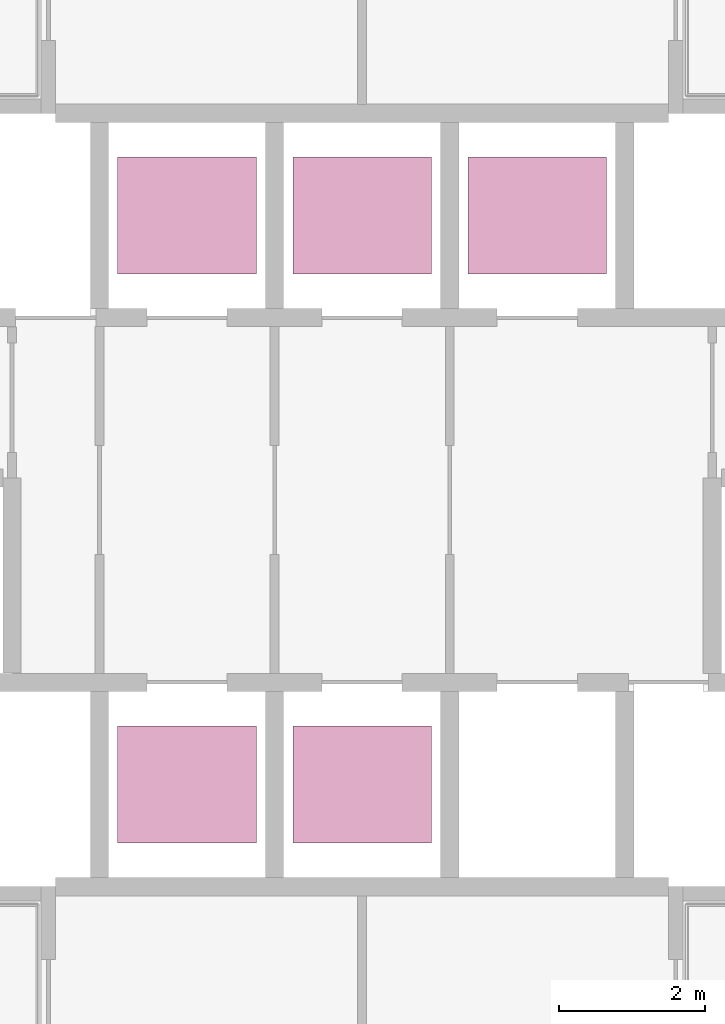
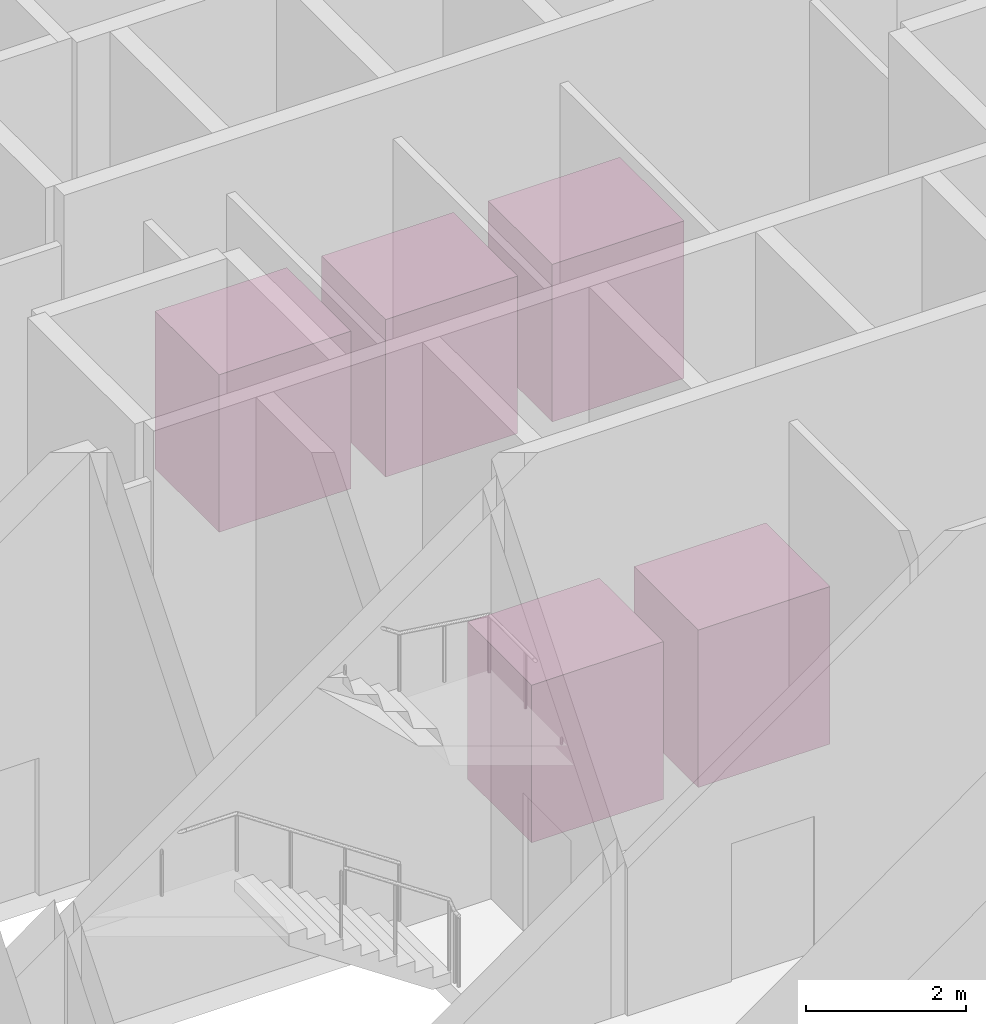
# One storey, part 16 of 16: 5 transport elements.
"""IFC4 building model written with IfcOpenShell, lengths in metres."""

from ifc_helpers import new_model, si_unit, direction, frame, origin, origin_2d, place, context, subcontext, project, spatial, rectangle, extrude, source, transform, mapped, material, type_object, element, save


model = new_model("IFC4")

# Units and contexts
model_context = context("Model", 3, precision=1e-05, world=origin(), true_north=direction((0.0, 1.0)))
body_context = subcontext(model_context, "Body", "Model", "MODEL_VIEW")
ifc_project = project(units=[si_unit("LENGTHUNIT", "METRE"), si_unit("AREAUNIT", "SQUARE_METRE"), si_unit("VOLUMEUNIT", "CUBIC_METRE"), si_unit("PLANEANGLEUNIT", "RADIAN"), si_unit("MASSUNIT", "GRAM", prefix="KILO")], contexts=[model_context])

# Site, building, storey
site_placement = place(None, origin())
site = spatial("IfcSite", under=ifc_project, at=site_placement, CompositionType="ELEMENT")
building_placement = place(site_placement, origin())
building = spatial("IfcBuilding", under=site, at=building_placement, Name="Embergate Tower", CompositionType="ELEMENT")
storey_placement = place(building_placement, frame((0.0, 0.0, 234.60009765625)))
storey = spatial("IfcBuildingStorey", under=building, at=storey_placement, Name="L54", CompositionType="ELEMENT", Elevation=234.60009765625)

# Transport elements
ifc_material = material(Name="Passenger lift High")
transport_element_type = type_object("IfcTransportElementType", Name="Passenger lift High", PredefinedType="ELEVATOR", material=ifc_material)
shared_shape = source(origin(), body_context, "Body", "SweptSolid", [
    extrude(rectangle(XDim=1.89990234375, YDim=1.60009765625, at=origin_2d()), origin(), (0.0, 0.0, 1.0), 2.39990234375),
])
for number, where, z_axis, x_axis, name in (
    (1, (-2.39990234375, 3.89990234375, 0.0), (0.0, 0.0, 1.0), (1.0, 0.0, 0.0), "High lift N-1"),
    (2, (0.0, 3.89990234375, 0.0), (0.0, 0.0, 1.0), (1.0, 0.0, 0.0), "High lift N+0"),
    (3, (2.39990234375, 3.89990234375, 0.0), (0.0, 0.0, 1.0), (1.0, 0.0, 0.0), "High lift N+1"),
    (4, (-2.39990234375, -3.89990234375, 0.0), (0.0, 0.0, 1.0), (1.0, 0.0, 0.0), "High lift S-1"),
    (5, (0.0, -3.89990234375, 0.0), (0.0, 0.0, 1.0), (1.0, 0.0, 0.0), "High lift S+0"),
):
    element("IfcTransportElement", number, at=place(storey_placement, frame(where, z_axis=z_axis, x_axis=x_axis)), inside=storey, type_object=transport_element_type, Name=name, PredefinedType="ELEVATOR", context=body_context, shape_type="MappedRepresentation", body=[
        mapped(shared_shape, transform((0.0, 0.0, 0.0))),
    ])

save(model, "model.ifc")
